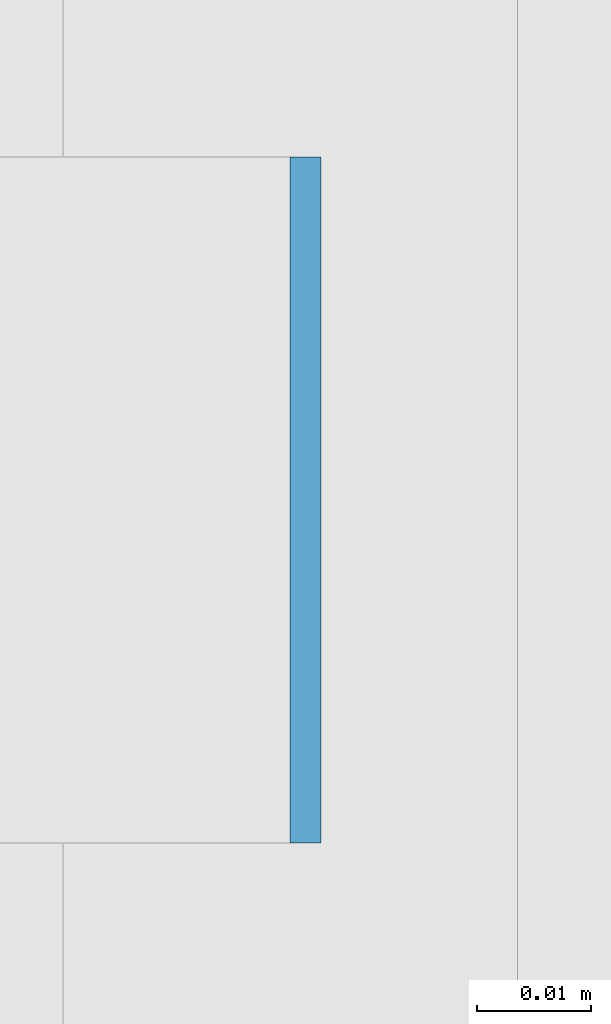
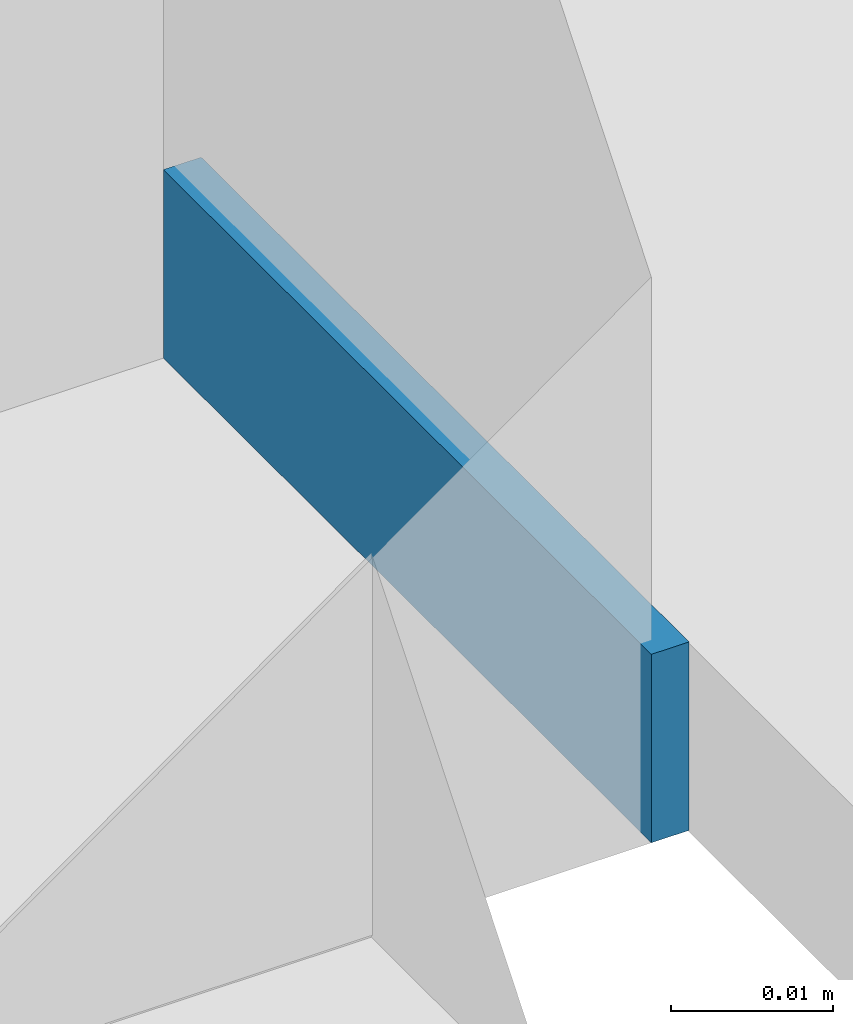
# One storey, part 262 of 646: 1 discrete accessory.
"""IFC4 building model written with IfcOpenShell, lengths in metres."""

from ifc_helpers import new_model, si_unit, direction, frame, origin, origin_2d, place, context, subcontext, project, spatial, rectangle, extrude, material, type_object, element, save


model = new_model("IFC4")

# Units and contexts
model_context = context("Model", 3, precision=1e-05, world=origin(), true_north=direction((0.0, 1.0)))
body_context = subcontext(model_context, "Body", "Model", "MODEL_VIEW")
ifc_project = project(units=[si_unit("LENGTHUNIT", "METRE"), si_unit("AREAUNIT", "SQUARE_METRE"), si_unit("VOLUMEUNIT", "CUBIC_METRE"), si_unit("PLANEANGLEUNIT", "RADIAN"), si_unit("MASSUNIT", "GRAM", prefix="KILO")], contexts=[model_context])

# Site, building, storey
site_placement = place(None, origin())
site = spatial("IfcSite", under=ifc_project, at=site_placement, CompositionType="ELEMENT")
building_placement = place(site_placement, origin())
building = spatial("IfcBuilding", under=site, at=building_placement, Name="Silverbay Arena", CompositionType="ELEMENT")
storey_placement = place(building_placement, frame((0.0, 0.0, 33.5)))
storey = spatial("IfcBuildingStorey", under=building, at=storey_placement, Name="L05", CompositionType="ELEMENT", Elevation=33.5)

# Discrete accessory
ifc_material = material(Name="Steel S355", Category="steel")
discrete_accessory_type = type_object("IfcDiscreteAccessoryType", Name="Steel bracket plate", PredefinedType="BRACKET", material=ifc_material)
discrete_accessory_placement = place(storey_placement, frame((53.871337890625, 41.142822265625, 4.0), z_axis=(0.0, 0.0, 1.0), x_axis=(1.0, 0.0, 0.0)))
element("IfcDiscreteAccessory", 1, at=discrete_accessory_placement, inside=storey, type_object=discrete_accessory_type, Name="Curtain wall packing plate", PredefinedType="BRACKET", context=body_context, shape_type="SweptSolid", body=[
    extrude(rectangle(XDim=0.002685546875, YDim=0.06005859375, at=origin_2d()), origin(), (0.0, 0.0, 1.0), 0.01416015625),
])

save(model, "model.ifc")
